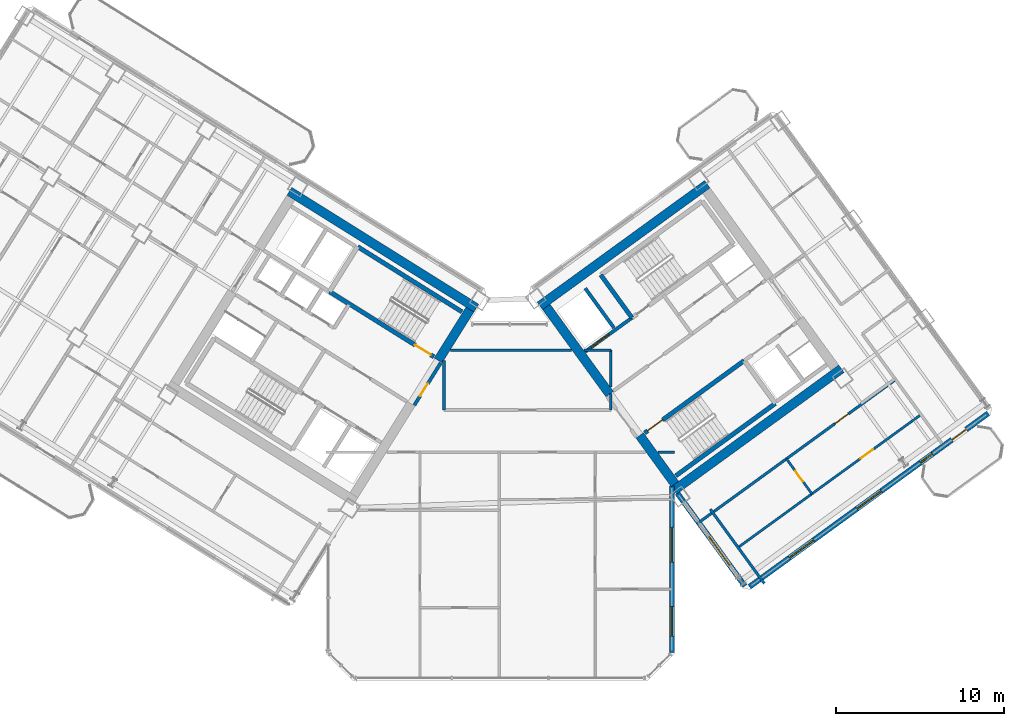
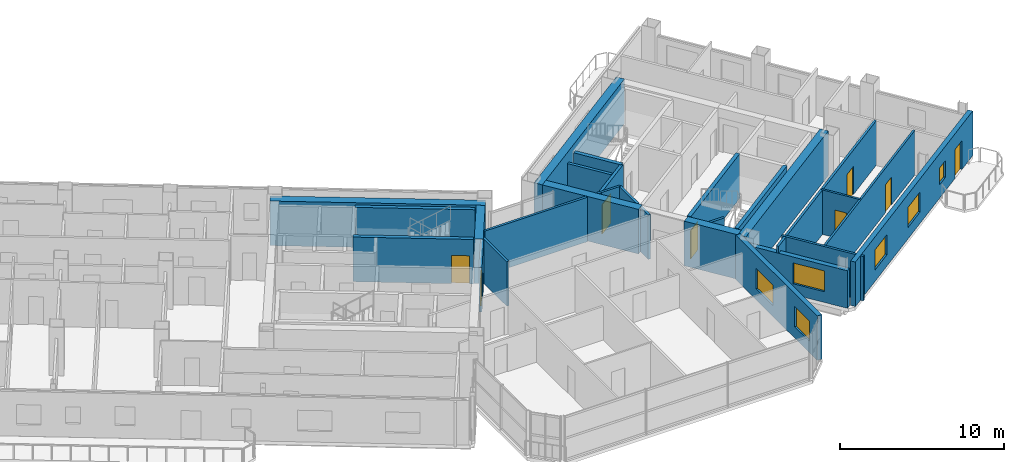
# One storey, part 19 of 29: 27 walls, 8 doors, 6 windows, 14 openings.
"""IFC4 building model written with IfcOpenShell, lengths in metres."""

from ifc_helpers import new_model, si_unit, direction, frame, frame_2d, origin, place, context, subcontext, project, spatial, rectangle, extrude, source, transform, mapped, material, layer, layer_set, type_object, element, fill, save


model = new_model("IFC4")

# Units and contexts
model_context = context("Model", 3, precision=1e-05, world=origin(), true_north=direction((0.0, 1.0)))
body_context = subcontext(model_context, "Body", "Model", "MODEL_VIEW")
ifc_project = project(units=[si_unit("LENGTHUNIT", "METRE"), si_unit("AREAUNIT", "SQUARE_METRE"), si_unit("VOLUMEUNIT", "CUBIC_METRE"), si_unit("PLANEANGLEUNIT", "RADIAN"), si_unit("MASSUNIT", "GRAM", prefix="KILO")], contexts=[model_context])

# Site, building, storey
site_placement = place(None, origin())
site = spatial("IfcSite", under=ifc_project, at=site_placement, CompositionType="ELEMENT")
building_placement = place(site_placement, origin())
building = spatial("IfcBuilding", under=site, at=building_placement, Name="Tlacorven Tower", CompositionType="ELEMENT")
storey_placement = place(building_placement, frame((0.0, 0.0, 165.89990234375)))
storey = spatial("IfcBuildingStorey", under=building, at=storey_placement, Name="L42", CompositionType="ELEMENT", Elevation=165.89990234375)

# Walls
ifc_material_1 = material(Name="Concrete C60/75", Category="concrete")
ifc_layer_1 = layer(ifc_material_1, 0.550048828125)
ifc_layer_set_1 = layer_set([ifc_layer_1], Name="Concrete C60/75")
wall_type_1 = type_object("IfcWallType", Name="WL-COR-550", PredefinedType="SHEAR", material=ifc_layer_set_1)
wall_1_placement = place(storey_placement, frame((40.572998046875, 24.010009765625, 0.0), z_axis=(0.0, 0.0, 1.0), x_axis=(-0.848047359947, 0.529920442413, 0.0)))
element("IfcWall", 1, at=wall_1_placement, inside=storey, type_object=wall_type_1, Name="L42 W core shear wall S1", PredefinedType="SHEAR", context=body_context, shape_type="SweptSolid", body=[
    extrude(rectangle(XDim=13.139892578125, YDim=0.550048828125, at=frame_2d((6.56982421875, 0.0))), origin(), (0.0, 0.0, 1.0), 3.320068359375),
])
wall_2_placement = place(storey_placement, frame((40.194091796875, 23.92236328125, 0.0), z_axis=(0.0, 0.0, 1.0), x_axis=(-0.529888438328, -0.848067357541, 0.0)))
element("IfcWall", 2, at=wall_2_placement, inside=storey, type_object=wall_type_1, Name="L42 W core end wall E1.1", PredefinedType="SHEAR", context=body_context, shape_type="SweptSolid", body=[
    extrude(rectangle(XDim=3.574951171875, YDim=0.550048828125, at=frame_2d((1.78759765625, 0.0))), origin(), (0.0, 0.0, 1.0), 3.320068359375),
])
for number, where, z_axis, x_axis, name in (
    (3, (52.35888671875, 13.1396484375, 0.0), (0.0, 0.0, 1.0), (0.809014896919, 0.587788139183, 0.0), "L42 E core shear wall S1"),
    (4, (44.364990234375, 24.142333984375, 0.0), (0.0, 0.0, 1.0), (0.809024304885, 0.587775190107, 0.0), "L42 E core shear wall S2"),
):
    element("IfcWall", number, at=place(storey_placement, frame(where, z_axis=z_axis, x_axis=x_axis)), inside=storey, type_object=wall_type_1, Name=name, PredefinedType="SHEAR", context=body_context, shape_type="SweptSolid", body=[
        extrude(rectangle(XDim=12.340087890625, YDim=0.550048828125, at=frame_2d((6.169921875, 0.0))), origin(), (0.0, 0.0, 1.0), 3.320068359375),
    ])
wall_3_placement = place(storey_placement, frame((52.419677734375, 13.52392578125, 0.0), z_axis=(0.0, 0.0, 1.0), x_axis=(-0.587802113096, 0.809004744015, 0.0)))
element("IfcWall", 5, at=wall_3_placement, inside=storey, type_object=wall_type_1, Name="L42 E core end wall E1.1", PredefinedType="SHEAR", context=body_context, shape_type="SweptSolid", body=[
    extrude(rectangle(XDim=3.574951171875, YDim=0.550048828125, at=frame_2d((1.78759765625, 0.0))), origin(), (0.0, 0.0, 1.0), 3.320068359375),
])
wall_4_placement = place(storey_placement, frame((48.525634765625, 18.883544921875, 0.0), z_axis=(0.0, 0.0, 1.0), x_axis=(-0.587764933797, 0.809031756236, 0.0)))
element("IfcWall", 6, at=wall_4_placement, inside=storey, type_object=wall_type_1, Name="L42 E core end wall E1.2", PredefinedType="SHEAR", context=body_context, shape_type="SweptSolid", body=[
    extrude(rectangle(XDim=6.425048828125, YDim=0.550048828125, at=frame_2d((3.21240234375, 0.0))), origin(), (0.0, 0.0, 1.0), 3.320068359375),
])
ifc_material_2 = material(Name="Gypsum plasterboard acoustic partition", Category="gypsum")
ifc_layer_2 = layer(ifc_material_2, 0.159912109375)
ifc_layer_set_2 = layer_set([ifc_layer_2], Name="Gypsum plasterboard acoustic partition")
wall_type_2 = type_object("IfcWallType", Name="WL-DEM-160", PredefinedType="PARTITIONING", material=ifc_layer_set_2)
wall_5_placement = place(storey_placement, frame((51.41552734375, 15.419921875, 0.0), z_axis=(0.0, 0.0, 1.0), x_axis=(1.0, 0.0, 0.0)))
element("IfcWall", 7, at=wall_5_placement, inside=storey, type_object=wall_type_2, Name="L42 Knuckle Corridor South Wall", PredefinedType="PARTITIONING", context=body_context, shape_type="SweptSolid", body=[
    extrude(rectangle(XDim=0.984375, YDim=0.159912109375, at=frame_2d((0.4921875, 0.0))), origin(), (0.0, 0.0, 1.0), 3.31005859375),
])
wall_6_placement = place(storey_placement, frame((38.64990234375, 17.929931640625, 0.0), z_axis=(0.0, 0.0, 1.0), x_axis=(0.0, 1.0, 0.0)))
element("IfcWall", 8, at=wall_6_placement, inside=storey, type_object=wall_type_2, Name="L42 partition 75", PredefinedType="PARTITIONING", context=body_context, shape_type="SweptSolid", body=[
    extrude(rectangle(XDim=2.951416015625, YDim=0.159912109375, at=frame_2d((1.4755859375, 0.0))), origin(), (0.0, 0.0, 1.0), 3.31005859375),
])
wall_7_placement = place(storey_placement, frame((48.60009765625, 17.929931640625, 0.0), z_axis=(0.0, 0.0, 1.0), x_axis=(0.0, 1.0, 0.0)))
element("IfcWall", 9, at=wall_7_placement, inside=storey, type_object=wall_type_2, Name="L42 partition 76", PredefinedType="PARTITIONING", context=body_context, shape_type="SweptSolid", body=[
    extrude(rectangle(XDim=0.99267578125, YDim=0.159912109375, at=frame_2d((0.496337890625, 0.0))), origin(), (0.0, 0.0, 1.0), 3.31005859375),
])
wall_8_placement = place(storey_placement, frame((48.60009765625, 19.295166015625, 0.0), z_axis=(0.0, 0.0, 1.0), x_axis=(0.0, 1.0, 0.0)))
element("IfcWall", 10, at=wall_8_placement, inside=storey, type_object=wall_type_2, Name="L42 partition 76", PredefinedType="PARTITIONING", context=body_context, shape_type="SweptSolid", body=[
    extrude(rectangle(XDim=2.204833984375, YDim=0.159912109375, at=frame_2d((1.1025390625, 0.0))), origin(), (0.0, 0.0, 1.0), 3.31005859375),
])
wall_9_placement = place(storey_placement, frame((39.03662109375, 21.5, 0.0), z_axis=(0.0, 0.0, 1.0), x_axis=(1.0, 0.0, 0.0)))
element("IfcWall", 11, at=wall_9_placement, inside=storey, type_object=wall_type_2, Name="L42 partition 77", PredefinedType="PARTITIONING", context=body_context, shape_type="SweptSolid", body=[
    extrude(rectangle(XDim=7.21484375, YDim=0.159912109375, at=frame_2d((3.607421875, 0.0))), origin(), (0.0, 0.0, 1.0), 3.31005859375),
])
wall_10_placement = place(storey_placement, frame((46.998046875, 21.5, 0.0), z_axis=(0.0, 0.0, 1.0), x_axis=(1.0, 0.0, 0.0)))
element("IfcWall", 12, at=wall_10_placement, inside=storey, type_object=wall_type_2, Name="L42 partition 77", PredefinedType="PARTITIONING", context=body_context, shape_type="SweptSolid", body=[
    extrude(rectangle(XDim=1.60205078125, YDim=0.159912109375, at=frame_2d((0.801025390625, 0.0))), origin(), (0.0, 0.0, 1.0), 3.31005859375),
])

# Wall, opening, door
wall_11_placement = place(storey_placement, frame((53.70458984375, 11.1259765625, 0.0), z_axis=(0.0, 0.0, 1.0), x_axis=(0.809014504436, 0.587788679384, 0.0)))
wall_11 = element("IfcWall", 13, at=wall_11_placement, inside=storey, type_object=wall_type_2, Name="L42 partition 97", PredefinedType="PARTITIONING", context=body_context, shape_type="SweptSolid", body=[
    extrude(rectangle(XDim=14.669921875, YDim=0.159912109375, at=frame_2d((7.3349609375, 0.0))), origin(), (0.0, 0.0, 1.0), 3.31005859375),
])
opening_1_placement = place(wall_11_placement, frame((10.199951171875, 0.0, 0.0)))
opening_1 = element("IfcOpeningElement", 14, at=opening_1_placement, cuts=wall_11, Name="Opening D11", PredefinedType="OPENING", context=body_context, shape_type="SweptSolid", body=[
    extrude(rectangle(XDim=1.0, YDim=2.10009765625, at=frame_2d((0.5, 1.050048828125))), frame((0.0, 0.08984375, 0.0), z_axis=(0.0, -1.0, 0.0), x_axis=(1.0, 0.0, 0.0)), (0.0, 0.0, 1.0), 0.179931640625),
])
ifc_material_3 = material(Name="Fire-rated steel door assembly", Category="steel")
door_type_1 = type_object("IfcDoorType", Name="DR-FLT-FD60-1000", OperationType="NOTDEFINED", PredefinedType="DOOR", material=ifc_material_3)
shared_shape_1 = source(origin(), body_context, "Body", "SweptSolid", [
    extrude(rectangle(XDim=1.0, YDim=2.10009765625, at=frame_2d((0.5, 1.050048828125))), frame((0.0, 0.02490234375, 0.0), z_axis=(0.0, -1.0, 0.0), x_axis=(1.0, 0.0, 0.0)), (0.0, 0.0, 1.0), 0.050048828125),
])
door_1_placement = place(opening_1_placement, origin())
door_1 = element("IfcDoor", 15, at=door_1_placement, inside=storey, type_object=door_type_1, Name="L42 door 063", OperationType="SINGLE_SWING_RIGHT", OverallHeight=2.10009765625, OverallWidth=1.0, PredefinedType="DOOR", context=body_context, shape_type="MappedRepresentation", body=[
    mapped(shared_shape_1, transform((0.0, 0.0, 0.0), scale=1.0)),
])
fill(opening_1, door_1)

# Wall
wall_12_placement = place(storey_placement, frame((57.747314453125, 7.586181640625, 0.0), z_axis=(0.0, 0.0, 1.0), x_axis=(-0.587784893399, 0.809017255126, 0.0)))
element("IfcWall", 16, at=wall_12_placement, inside=storey, type_object=wall_type_2, Name="L42 EC West Throat Wall", PredefinedType="PARTITIONING", context=body_context, shape_type="SweptSolid", body=[
    extrude(rectangle(XDim=5.480224609375, YDim=0.159912109375, at=frame_2d((2.740234375, 0.0))), origin(), (0.0, 0.0, 1.0), 3.31005859375),
])

# Wall, openings, door, windows
ifc_material_4 = material(Name="Precast concrete C45/55", Category="concrete")
ifc_layer_3 = layer(ifc_material_4, 0.320068359375)
ifc_layer_set_3 = layer_set([ifc_layer_3], Name="Precast concrete C45/55")
wall_type_3 = type_object("IfcWallType", Name="WL-EXT-320", PredefinedType="STANDARD", material=ifc_layer_set_3)
wall_13_placement = place(storey_placement, frame((71.097900390625, 17.73095703125, 0.0), z_axis=(0.0, 0.0, 1.0), x_axis=(-0.809021120468, -0.587779573171, 0.0)))
wall_13 = element("IfcWall", 17, at=wall_13_placement, inside=storey, type_object=wall_type_3, Name="L42 Masonry-Frame Recessed Facade Wall 6", PredefinedType="STANDARD", context=body_context, shape_type="SweptSolid", body=[
    extrude(rectangle(XDim=17.587646484375, YDim=0.320068359375, at=frame_2d((8.7939453125, 0.0))), origin(), (0.0, 0.0, 1.0), 3.320068359375),
])
opening_2_placement = place(wall_13_placement, frame((1.623779296875, 0.0, 0.0)))
opening_2 = element("IfcOpeningElement", 18, at=opening_2_placement, cuts=wall_13, Name="Opening D06", PredefinedType="OPENING", context=body_context, shape_type="SweptSolid", body=[
    extrude(rectangle(XDim=1.050048828125, YDim=2.14990234375, at=frame_2d((0.52490234375, 1.074951171875))), frame((0.0, 0.169921875, 0.0), z_axis=(0.0, -1.0, 0.0), x_axis=(1.0, 0.0, 0.0)), (0.0, 0.0, 1.0), 0.340087890625),
])
opening_3_placement = place(wall_13_placement, frame((4.103759765625, 0.0, 1.0)))
opening_3 = element("IfcOpeningElement", 19, at=opening_3_placement, cuts=wall_13, Name="Opening WN05", PredefinedType="OPENING", context=body_context, shape_type="SweptSolid", body=[
    extrude(rectangle(XDim=0.89990234375, YDim=1.25, at=frame_2d((0.449951171875, 0.625))), frame((0.0, 0.169921875, 0.0), z_axis=(0.0, -1.0, 0.0), x_axis=(1.0, 0.0, 0.0)), (0.0, 0.0, 1.0), 0.340087890625),
])
opening_4_placement = place(wall_13_placement, frame((7.878662109375, 0.0, 0.85009765625)))
opening_4 = element("IfcOpeningElement", 20, at=opening_4_placement, cuts=wall_13, Name="Opening WN01", PredefinedType="OPENING", context=body_context, shape_type="SweptSolid", body=[
    extrude(rectangle(XDim=1.800048828125, YDim=1.5, at=frame_2d((0.89990234375, 0.75))), frame((0.0, 0.169921875, 0.0), z_axis=(0.0, -1.0, 0.0), x_axis=(1.0, 0.0, 0.0)), (0.0, 0.0, 1.0), 0.340087890625),
])
opening_5_placement = place(wall_13_placement, frame((12.8486328125, 0.0, 0.85009765625)))
opening_5 = element("IfcOpeningElement", 21, at=opening_5_placement, cuts=wall_13, Name="Opening WN01", PredefinedType="OPENING", context=body_context, shape_type="SweptSolid", body=[
    extrude(rectangle(XDim=1.800048828125, YDim=1.5, at=frame_2d((0.89990234375, 0.75))), frame((0.0, 0.169921875, 0.0), z_axis=(0.0, -1.0, 0.0), x_axis=(1.0, 0.0, 0.0)), (0.0, 0.0, 1.0), 0.340087890625),
])
ifc_material_5 = material(Name="Powder-coated aluminium and timber door", Category="wood")
door_type_2 = type_object("IfcDoorType", Name="DR-EXT-BALC-1050", OperationType="NOTDEFINED", PredefinedType="DOOR", material=ifc_material_5)
shared_shape_2 = source(origin(), body_context, "Body", "SweptSolid", [
    extrude(rectangle(XDim=1.050048828125, YDim=2.14990234375, at=frame_2d((0.52490234375, 1.074951171875))), frame((0.0, 0.02490234375, 0.0), z_axis=(0.0, -1.0, 0.0), x_axis=(1.0, 0.0, 0.0)), (0.0, 0.0, 1.0), 0.050048828125),
])
door_2_placement = place(opening_2_placement, origin())
door_2 = element("IfcDoor", 22, at=door_2_placement, inside=storey, type_object=door_type_2, Name="L42 Outdoor Access Door BAL-L42-E-OUT", OperationType="SINGLE_SWING_LEFT", OverallHeight=2.14990234375, OverallWidth=1.050048828125, PredefinedType="DOOR", context=body_context, shape_type="MappedRepresentation", body=[
    mapped(shared_shape_2, transform((0.0, 0.0, 0.0), scale=1.0)),
])
fill(opening_2, door_2)
ifc_material_6 = material(Name="Dark solar low-E double glazing in anodised aluminium frame", Category="aluminium")
window_type_1 = type_object("IfcWindowType", Name="WN-APT-1800X1650", PartitioningType="SINGLE_PANEL", PredefinedType="WINDOW", material=ifc_material_6)
shared_shape_3 = source(origin(), body_context, "Body", "SweptSolid", [
    extrude(rectangle(XDim=1.800048828125, YDim=1.5, at=frame_2d((0.89990234375, 0.75))), frame((0.0, 0.030029296875, 0.0), z_axis=(0.0, -1.0, 0.0), x_axis=(1.0, 0.0, 0.0)), (0.0, 0.0, 1.0), 0.06005859375),
])
window_1_placement = place(opening_4_placement, origin())
window_1 = element("IfcWindow", 23, at=window_1_placement, inside=storey, type_object=window_type_1, Name="L42 Recessed Masonry-Frame Window L42-06.2", OverallHeight=1.5, OverallWidth=1.800048828125, PartitioningType="SINGLE_PANEL", PredefinedType="WINDOW", context=body_context, shape_type="MappedRepresentation", body=[
    mapped(shared_shape_3, transform((0.0, 0.0, 0.0), scale=1.0)),
])
fill(opening_4, window_1)
window_2_placement = place(opening_5_placement, origin())
window_2 = element("IfcWindow", 24, at=window_2_placement, inside=storey, type_object=window_type_1, Name="L42 Recessed Masonry-Frame Window L42-06.3", OverallHeight=1.5, OverallWidth=1.800048828125, PartitioningType="SINGLE_PANEL", PredefinedType="WINDOW", context=body_context, shape_type="MappedRepresentation", body=[
    mapped(shared_shape_3, transform((0.0, 0.0, 0.0), scale=1.0)),
])
fill(opening_5, window_2)
window_type_2 = type_object("IfcWindowType", Name="WN-APT-0900X1350", PartitioningType="SINGLE_PANEL", PredefinedType="WINDOW", material=ifc_material_6)
shared_shape_4 = source(origin(), body_context, "Body", "SweptSolid", [
    extrude(rectangle(XDim=0.89990234375, YDim=1.25, at=frame_2d((0.449951171875, 0.625))), frame((0.0, 0.030029296875, 0.0), z_axis=(0.0, -1.0, 0.0), x_axis=(1.0, 0.0, 0.0)), (0.0, 0.0, 1.0), 0.06005859375),
])
window_3_placement = place(opening_3_placement, origin())
window_3 = element("IfcWindow", 25, at=window_3_placement, inside=storey, type_object=window_type_2, Name="L42 Recessed Masonry-Frame Window L42-06.1", OverallHeight=1.25, OverallWidth=0.89990234375, PartitioningType="SINGLE_PANEL", PredefinedType="WINDOW", context=body_context, shape_type="MappedRepresentation", body=[
    mapped(shared_shape_4, transform((0.0, 0.0, 0.0), scale=1.0)),
])
fill(opening_3, window_3)

# Wall, opening, window
wall_14_placement = place(storey_placement, frame((56.5810546875, 7.43896484375, 0.0), z_axis=(0.0, 0.0, 1.0), x_axis=(-0.587771678454, 0.809026856172, 0.0)))
wall_14 = element("IfcWall", 26, at=wall_14_placement, inside=storey, type_object=wall_type_3, Name="L42 Masonry-Frame Recessed Facade Wall 7", PredefinedType="STANDARD", context=body_context, shape_type="SweptSolid", body=[
    extrude(rectangle(XDim=6.82373046875, YDim=0.320068359375, at=frame_2d((3.411865234375, 0.0))), origin(), (0.0, 0.0, 1.0), 2.795166015625),
])
opening_6_placement = place(wall_14_placement, frame((1.53125, 0.0, 0.800048828125)))
opening_6 = element("IfcOpeningElement", 27, at=opening_6_placement, cuts=wall_14, Name="Opening WN04", PredefinedType="OPENING", context=body_context, shape_type="SweptSolid", body=[
    extrude(rectangle(XDim=2.10009765625, YDim=1.550048828125, at=frame_2d((1.050048828125, 0.77490234375))), frame((0.0, 0.169921875, 0.0), z_axis=(0.0, -1.0, 0.0), x_axis=(1.0, 0.0, 0.0)), (0.0, 0.0, 1.0), 0.340087890625),
])
window_type_3 = type_object("IfcWindowType", Name="WN-APT-2100X1750", PartitioningType="SINGLE_PANEL", PredefinedType="WINDOW", material=ifc_material_6)
shared_shape_5 = source(origin(), body_context, "Body", "SweptSolid", [
    extrude(rectangle(XDim=2.10009765625, YDim=1.550048828125, at=frame_2d((1.050048828125, 0.77490234375))), frame((0.0, 0.030029296875, 0.0), z_axis=(0.0, -1.0, 0.0), x_axis=(1.0, 0.0, 0.0)), (0.0, 0.0, 1.0), 0.06005859375),
])
window_4_placement = place(opening_6_placement, origin())
window_4 = element("IfcWindow", 28, at=window_4_placement, inside=storey, type_object=window_type_3, Name="L42 Recessed Masonry-Frame Window L42-07.1", OverallHeight=1.550048828125, OverallWidth=2.10009765625, PartitioningType="SINGLE_PANEL", PredefinedType="WINDOW", context=body_context, shape_type="MappedRepresentation", body=[
    mapped(shared_shape_5, transform((0.0, 0.0, 0.0), scale=1.0)),
])
fill(opening_6, window_4)

# Wall, openings, windows
wall_15_placement = place(storey_placement, frame((52.239990234375, 13.4140625, 0.0), z_axis=(0.0, 0.0, 1.0), x_axis=(0.0, -1.0, 0.0)))
wall_15 = element("IfcWall", 29, at=wall_15_placement, inside=storey, type_object=wall_type_3, Name="L42 Masonry-Frame Recessed Facade Wall 8", PredefinedType="STANDARD", context=body_context, shape_type="SweptSolid", body=[
    extrude(rectangle(XDim=9.94775390625, YDim=0.320068359375, at=frame_2d((4.973876953125, 0.0))), origin(), (0.0, 0.0, 1.0), 3.320068359375),
])
opening_7_placement = place(wall_15_placement, frame((2.4599609375, 0.0, 0.800048828125)))
opening_7 = element("IfcOpeningElement", 30, at=opening_7_placement, cuts=wall_15, Name="Opening WN04", PredefinedType="OPENING", context=body_context, shape_type="SweptSolid", body=[
    extrude(rectangle(XDim=2.10009765625, YDim=1.550048828125, at=frame_2d((1.050048828125, 0.77490234375))), frame((0.0, 0.169921875, 0.0), z_axis=(0.0, -1.0, 0.0), x_axis=(1.0, 0.0, 0.0)), (0.0, 0.0, 1.0), 0.340087890625),
])
opening_8_placement = place(wall_15_placement, frame((7.183349609375, 0.0, 0.85009765625)))
opening_8 = element("IfcOpeningElement", 31, at=opening_8_placement, cuts=wall_15, Name="Opening WN01", PredefinedType="OPENING", context=body_context, shape_type="SweptSolid", body=[
    extrude(rectangle(XDim=1.800048828125, YDim=1.5, at=frame_2d((0.89990234375, 0.75))), frame((0.0, 0.169921875, 0.0), z_axis=(0.0, -1.0, 0.0), x_axis=(1.0, 0.0, 0.0)), (0.0, 0.0, 1.0), 0.340087890625),
])
window_5_placement = place(opening_7_placement, origin())
window_5 = element("IfcWindow", 32, at=window_5_placement, inside=storey, type_object=window_type_3, Name="L42 Recessed Masonry-Frame Window L42-08.1", OverallHeight=1.550048828125, OverallWidth=2.10009765625, PartitioningType="SINGLE_PANEL", PredefinedType="WINDOW", context=body_context, shape_type="MappedRepresentation", body=[
    mapped(shared_shape_5, transform((0.0, 0.0, 0.0), scale=1.0)),
])
fill(opening_7, window_5)
window_6_placement = place(opening_8_placement, origin())
window_6 = element("IfcWindow", 33, at=window_6_placement, inside=storey, type_object=window_type_1, Name="L42 Recessed Masonry-Frame Window L42-08.2", OverallHeight=1.5, OverallWidth=1.800048828125, PartitioningType="SINGLE_PANEL", PredefinedType="WINDOW", context=body_context, shape_type="MappedRepresentation", body=[
    mapped(shared_shape_3, transform((0.0, 0.0, 0.0), scale=1.0)),
])
fill(opening_8, window_6)

# Wall, opening, door
ifc_material_7 = material(Name="Moisture-resistant gypsum plumbing wall", Category="gypsum")
ifc_layer_4 = layer(ifc_material_7, 0.139892578125)
ifc_layer_set_4 = layer_set([ifc_layer_4], Name="Moisture-resistant gypsum plumbing wall")
wall_type_4 = type_object("IfcWallType", Name="WL-PLM-140", PredefinedType="PLUMBINGWALL", material=ifc_layer_set_4)
wall_16_placement = place(storey_placement, frame((56.24853515625, 9.78515625, 0.0), z_axis=(0.0, 0.0, 1.0), x_axis=(0.809011747655, 0.587792473715, 0.0)))
wall_16 = element("IfcWall", 34, at=wall_16_placement, inside=storey, type_object=wall_type_4, Name="L42 partition 99", PredefinedType="PLUMBINGWALL", context=body_context, shape_type="SweptSolid", body=[
    extrude(rectangle(XDim=13.400146484375, YDim=0.139892578125, at=frame_2d((6.7001953125, 0.0))), origin(), (0.0, 0.0, 1.0), 3.31005859375),
])
opening_9_placement = place(wall_16_placement, frame((8.93994140625, 0.0, 0.0)))
opening_9 = element("IfcOpeningElement", 35, at=opening_9_placement, cuts=wall_16, Name="Opening D12", PredefinedType="OPENING", context=body_context, shape_type="SweptSolid", body=[
    extrude(rectangle(XDim=0.919921875, YDim=2.080078125, at=frame_2d((0.4599609375, 1.0400390625))), frame((0.0, 0.080078125, 0.0), z_axis=(0.0, -1.0, 0.0), x_axis=(1.0, 0.0, 0.0)), (0.0, 0.0, 1.0), 0.159912109375),
])
door_type_3 = type_object("IfcDoorType", Name="DR-INT-ROOM-0920", OperationType="NOTDEFINED", PredefinedType="DOOR", material=ifc_material_5)
shared_shape_6 = source(origin(), body_context, "Body", "SweptSolid", [
    extrude(rectangle(XDim=0.919921875, YDim=2.080078125, at=frame_2d((0.4599609375, 1.0400390625))), frame((0.0, 0.02490234375, 0.0), z_axis=(0.0, -1.0, 0.0), x_axis=(1.0, 0.0, 0.0)), (0.0, 0.0, 1.0), 0.050048828125),
])
door_3_placement = place(opening_9_placement, origin())
door_3 = element("IfcDoor", 36, at=door_3_placement, inside=storey, type_object=door_type_3, Name="L42 door 064", OperationType="SINGLE_SWING_LEFT", OverallHeight=2.080078125, OverallWidth=0.919921875, PredefinedType="DOOR", context=body_context, shape_type="MappedRepresentation", body=[
    mapped(shared_shape_6, transform((0.0, 0.0, 0.0), scale=1.0)),
])
fill(opening_9, door_3)

wall_17_placement = place(storey_placement, frame((60.584716796875, 12.935791015625, 0.0), z_axis=(0.0, 0.0, 1.0), x_axis=(-0.587772116736, 0.809026537752, 0.0)))
wall_17 = element("IfcWall", 37, at=wall_17_placement, inside=storey, type_object=wall_type_4, Name="L42 partition 100", PredefinedType="PLUMBINGWALL", context=body_context, shape_type="SweptSolid", body=[
    extrude(rectangle(XDim=2.579833984375, YDim=0.139892578125, at=frame_2d((1.2900390625, 0.0))), origin(), (0.0, 0.0, 1.0), 3.31005859375),
])
opening_10_placement = place(wall_17_placement, frame((0.89990234375, 0.0, 0.0)))
opening_10 = element("IfcOpeningElement", 38, at=opening_10_placement, cuts=wall_17, Name="Opening D22", PredefinedType="OPENING", context=body_context, shape_type="SweptSolid", body=[
    extrude(rectangle(XDim=0.780029296875, YDim=2.050048828125, at=frame_2d((0.39013671875, 1.02490234375))), frame((0.0, 0.080078125, 0.0), z_axis=(0.0, -1.0, 0.0), x_axis=(1.0, 0.0, 0.0)), (0.0, 0.0, 1.0), 0.159912109375),
])
door_type_4 = type_object("IfcDoorType", Name="DR-INT-WET-0780", OperationType="NOTDEFINED", PredefinedType="DOOR", material=ifc_material_5)
shared_shape_7 = source(origin(), body_context, "Body", "SweptSolid", [
    extrude(rectangle(XDim=0.780029296875, YDim=2.050048828125, at=frame_2d((0.39013671875, 1.02490234375))), frame((0.0, 0.02490234375, 0.0), z_axis=(0.0, -1.0, 0.0), x_axis=(1.0, 0.0, 0.0)), (0.0, 0.0, 1.0), 0.050048828125),
])
door_4_placement = place(opening_10_placement, origin())
door_4 = element("IfcDoor", 39, at=door_4_placement, inside=storey, type_object=door_type_4, Name="L42 door 065", OperationType="SINGLE_SWING_RIGHT", OverallHeight=2.050048828125, OverallWidth=0.780029296875, PredefinedType="DOOR", context=body_context, shape_type="MappedRepresentation", body=[
    mapped(shared_shape_7, transform((0.0, 0.0, 0.0), scale=1.0)),
])
fill(opening_10, door_4)

ifc_material_8 = material(Name="Concrete C40/50", Category="concrete")
ifc_layer_5 = layer(ifc_material_8, 0.199951171875)
ifc_layer_set_5 = layer_set([ifc_layer_5], Name="Concrete C40/50")
wall_type_5 = type_object("IfcWallType", Name="WL-SHF-200", PredefinedType="STANDARD", material=ifc_layer_set_5)
wall_18_placement = place(storey_placement, frame((47.0654296875, 21.4072265625, 0.0), z_axis=(0.0, 0.0, 1.0), x_axis=(0.809032984992, 0.587763242466, 0.0)))
wall_18 = element("IfcWall", 40, at=wall_18_placement, inside=storey, type_object=wall_type_5, Name="L42 Core E Firefighting Lift Shaft Front Wall", PredefinedType="STANDARD", context=body_context, shape_type="SweptSolid", body=[
    extrude(rectangle(XDim=3.447998046875, YDim=0.199951171875, at=frame_2d((1.72412109375, 0.0))), origin(), (0.0, 0.0, 1.0), 3.31005859375),
])
opening_11_placement = place(wall_18_placement, frame((0.4580078125, 0.0, 0.0)))
opening_11 = element("IfcOpeningElement", 41, at=opening_11_placement, cuts=wall_18, Name="Opening LD03", PredefinedType="OPENING", context=body_context, shape_type="SweptSolid", body=[
    extrude(rectangle(XDim=1.300048828125, YDim=2.199951171875, at=frame_2d((0.64990234375, 1.10009765625))), frame((0.0, 0.10986328125, 0.0), z_axis=(0.0, -1.0, 0.0), x_axis=(1.0, 0.0, 0.0)), (0.0, 0.0, 1.0), 0.219970703125),
])
door_type_5 = type_object("IfcDoorType", Name="DR-LFT-SLID-1300", OperationType="DOUBLE_DOOR_SLIDING", PredefinedType="DOOR", material=ifc_material_3)
shared_shape_8 = source(origin(), body_context, "Body", "SweptSolid", [
    extrude(rectangle(XDim=1.300048828125, YDim=2.199951171875, at=frame_2d((0.64990234375, 1.10009765625))), frame((0.0, 0.02490234375, 0.0), z_axis=(0.0, -1.0, 0.0), x_axis=(1.0, 0.0, 0.0)), (0.0, 0.0, 1.0), 0.050048828125),
])
door_5_placement = place(opening_11_placement, origin())
door_5 = element("IfcDoor", 42, at=door_5_placement, inside=storey, type_object=door_type_5, Name="L42 Lift FFL-E1 Sliding Landing Door", OperationType="DOUBLE_DOOR_SLIDING", OverallHeight=2.199951171875, OverallWidth=1.300048828125, PredefinedType="DOOR", context=body_context, shape_type="MappedRepresentation", body=[
    mapped(shared_shape_8, transform((0.0, 0.0, 0.0), scale=1.0)),
])
fill(opening_11, door_5)

# Wall
wall_19_placement = place(storey_placement, frame((48.78564453125, 22.830078125, 0.0), z_axis=(0.0, 0.0, 1.0), x_axis=(-0.587783856777, 0.809018008275, 0.0)))
element("IfcWall", 43, at=wall_19_placement, inside=storey, type_object=wall_type_5, Name="L42 partition 33", PredefinedType="STANDARD", context=body_context, shape_type="SweptSolid", body=[
    extrude(rectangle(XDim=2.919921875, YDim=0.199951171875, at=frame_2d((1.4599609375, 0.0))), origin(), (0.0, 0.0, 1.0), 3.31005859375),
])

# Wall, opening, door
wall_20_placement = place(storey_placement, frame((38.451416015625, 20.737060546875, 0.0), z_axis=(0.0, 0.0, 1.0), x_axis=(-0.529924799939, -0.848044637038, 0.0)))
wall_20 = element("IfcWall", 44, at=wall_20_placement, inside=storey, type_object=wall_type_5, Name="L42 partition 72", PredefinedType="STANDARD", context=body_context, shape_type="SweptSolid", body=[
    extrude(rectangle(XDim=2.9599609375, YDim=0.199951171875, at=frame_2d((1.47998046875, 0.0))), origin(), (0.0, 0.0, 1.0), 3.31005859375),
])
opening_12_placement = place(wall_20_placement, frame((1.4599609375, 0.0, 0.0)))
opening_12 = element("IfcOpeningElement", 45, at=opening_12_placement, cuts=wall_20, Name="Opening D19", PredefinedType="OPENING", context=body_context, shape_type="SweptSolid", body=[
    extrude(rectangle(XDim=0.860107421875, YDim=2.050048828125, at=frame_2d((0.43017578125, 1.02490234375))), frame((0.0, 0.10986328125, 0.0), z_axis=(0.0, -1.0, 0.0), x_axis=(1.0, 0.0, 0.0)), (0.0, 0.0, 1.0), 0.219970703125),
])
door_type_6 = type_object("IfcDoorType", Name="DR-RSR-FD60-0860", OperationType="NOTDEFINED", PredefinedType="DOOR", material=ifc_material_3)
shared_shape_9 = source(origin(), body_context, "Body", "SweptSolid", [
    extrude(rectangle(XDim=0.860107421875, YDim=2.050048828125, at=frame_2d((0.43017578125, 1.02490234375))), frame((0.0, 0.02490234375, 0.0), z_axis=(0.0, -1.0, 0.0), x_axis=(1.0, 0.0, 0.0)), (0.0, 0.0, 1.0), 0.050048828125),
])
door_6_placement = place(opening_12_placement, frame((0.860107421875, 0.0, 0.0), z_axis=(0.0, 0.0, 1.0), x_axis=(-1.0, 0.0, 0.0)))
door_6 = element("IfcDoor", 46, at=door_6_placement, inside=storey, type_object=door_type_6, Name="L42 door 046", OperationType="SINGLE_SWING_LEFT", OverallHeight=2.050048828125, OverallWidth=0.860107421875, PredefinedType="DOOR", context=body_context, shape_type="MappedRepresentation", body=[
    mapped(shared_shape_9, transform((0.0, 0.0, 0.0), scale=1.0)),
])
fill(opening_12, door_6)

# Wall
ifc_material_9 = material(Name="Concrete C50/60", Category="concrete")
ifc_layer_6 = layer(ifc_material_9, 0.260009765625)
ifc_layer_set_6 = layer_set([ifc_layer_6], Name="Concrete C50/60")
wall_type_6 = type_object("IfcWallType", Name="WL-STW-260", PredefinedType="SHEAR", material=ifc_layer_set_6)
wall_21_placement = place(storey_placement, frame((39.720947265625, 23.787841796875, 0.0), z_axis=(0.0, 0.0, 1.0), x_axis=(-0.848054434086, 0.529909121291, 0.0)))
element("IfcWall", 47, at=wall_21_placement, inside=storey, type_object=wall_type_6, Name="L42 Stair W2 Far Shear Wall", PredefinedType="SHEAR", context=body_context, shape_type="SweptSolid", body=[
    extrude(rectangle(XDim=7.330078125, YDim=0.260009765625, at=frame_2d((3.6650390625, 0.0))), origin(), (0.0, 0.0, 1.0), 3.320068359375),
])

# Wall, opening, door
wall_22_placement = place(storey_placement, frame((38.04638671875, 21.10791015625, 0.0), z_axis=(0.0, 0.0, 1.0), x_axis=(-0.848054434086, 0.529909121291, 0.0)))
wall_22 = element("IfcWall", 48, at=wall_22_placement, inside=storey, type_object=wall_type_6, Name="L42 Stair W2 Lobby Shear Wall", PredefinedType="SHEAR", context=body_context, shape_type="SweptSolid", body=[
    extrude(rectangle(XDim=7.330078125, YDim=0.260009765625, at=frame_2d((3.6650390625, 0.0))), origin(), (0.0, 0.0, 1.0), 3.320068359375),
])
opening_13_placement = place(wall_22_placement, frame((0.219970703125, 0.0, 0.0)))
opening_13 = element("IfcOpeningElement", 49, at=opening_13_placement, cuts=wall_22, Name="Opening D07", PredefinedType="OPENING", context=body_context, shape_type="SweptSolid", body=[
    extrude(rectangle(XDim=1.10009765625, YDim=2.10009765625, at=frame_2d((0.550048828125, 1.050048828125))), frame((0.0, 0.14013671875, 0.0), z_axis=(0.0, -1.0, 0.0), x_axis=(1.0, 0.0, 0.0)), (0.0, 0.0, 1.0), 0.280029296875),
])
door_type_7 = type_object("IfcDoorType", Name="DR-STR-FD90-1100", OperationType="NOTDEFINED", PredefinedType="DOOR", material=ifc_material_3)
shared_shape_10 = source(origin(), body_context, "Body", "SweptSolid", [
    extrude(rectangle(XDim=1.10009765625, YDim=2.10009765625, at=frame_2d((0.550048828125, 1.050048828125))), frame((0.0, 0.02490234375, 0.0), z_axis=(0.0, -1.0, 0.0), x_axis=(1.0, 0.0, 0.0)), (0.0, 0.0, 1.0), 0.050048828125),
])
door_7_placement = place(opening_13_placement, origin())
door_7 = element("IfcDoor", 50, at=door_7_placement, inside=storey, type_object=door_type_7, Name="L42 Exit Stair W2 Fire Door", OperationType="SINGLE_SWING_LEFT", OverallHeight=2.10009765625, OverallWidth=1.10009765625, PredefinedType="DOOR", context=body_context, shape_type="MappedRepresentation", body=[
    mapped(shared_shape_10, transform((0.0, 0.0, 0.0), scale=1.0)),
])
fill(opening_13, door_7)

# Walls
wall_23_placement = place(storey_placement, frame((49.85498046875, 23.433837890625, 0.0), z_axis=(0.0, 0.0, 1.0), x_axis=(-0.58776738483, 0.809029975545, 0.0)))
element("IfcWall", 51, at=wall_23_placement, inside=storey, type_object=wall_type_6, Name="L42 Stair E1 West Shear Wall", PredefinedType="SHEAR", context=body_context, shape_type="SweptSolid", body=[
    extrude(rectangle(XDim=3.16015625, YDim=0.260009765625, at=frame_2d((1.580078125, 0.0))), origin(), (0.0, 0.0, 1.0), 3.320068359375),
])
wall_24_placement = place(storey_placement, frame((52.47216796875, 14.01318359375, 0.0), z_axis=(0.0, 0.0, 1.0), x_axis=(0.809028366311, 0.587769599847, 0.0)))
element("IfcWall", 52, at=wall_24_placement, inside=storey, type_object=wall_type_6, Name="L42 Stair E2 Far Shear Wall", PredefinedType="SHEAR", context=body_context, shape_type="SweptSolid", body=[
    extrude(rectangle(XDim=7.330078125, YDim=0.260009765625, at=frame_2d((3.6650390625, 0.0))), origin(), (0.0, 0.0, 1.0), 3.320068359375),
])

# Wall, opening, door
wall_25_placement = place(storey_placement, frame((50.61474609375, 16.569580078125, 0.0), z_axis=(0.0, 0.0, 1.0), x_axis=(0.809028366311, 0.587769599847, 0.0)))
wall_25 = element("IfcWall", 53, at=wall_25_placement, inside=storey, type_object=wall_type_6, Name="L42 Stair E2 Lobby Shear Wall", PredefinedType="SHEAR", context=body_context, shape_type="SweptSolid", body=[
    extrude(rectangle(XDim=7.330078125, YDim=0.260009765625, at=frame_2d((3.6650390625, 0.0))), origin(), (0.0, 0.0, 1.0), 3.320068359375),
])
opening_14_placement = place(wall_25_placement, frame((0.219970703125, 0.0, 0.0)))
opening_14 = element("IfcOpeningElement", 54, at=opening_14_placement, cuts=wall_25, Name="Opening D07", PredefinedType="OPENING", context=body_context, shape_type="SweptSolid", body=[
    extrude(rectangle(XDim=1.10009765625, YDim=2.10009765625, at=frame_2d((0.550048828125, 1.050048828125))), frame((0.0, 0.14013671875, 0.0), z_axis=(0.0, -1.0, 0.0), x_axis=(1.0, 0.0, 0.0)), (0.0, 0.0, 1.0), 0.280029296875),
])
door_8_placement = place(opening_14_placement, origin())
door_8 = element("IfcDoor", 55, at=door_8_placement, inside=storey, type_object=door_type_7, Name="L42 Exit Stair E2 Fire Door", OperationType="SINGLE_SWING_RIGHT", OverallHeight=2.10009765625, OverallWidth=1.10009765625, PredefinedType="DOOR", context=body_context, shape_type="MappedRepresentation", body=[
    mapped(shared_shape_10, transform((0.0, 0.0, 0.0), scale=1.0)),
])
fill(opening_14, door_8)

save(model, "model.ifc")
